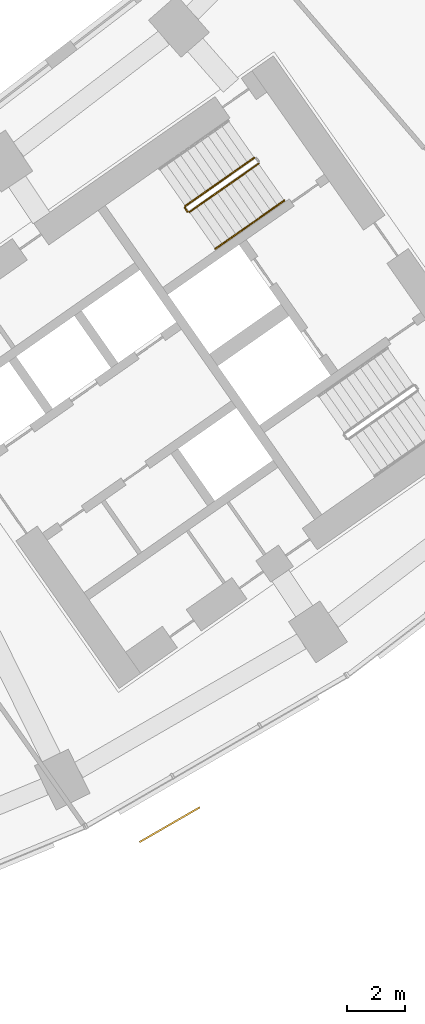
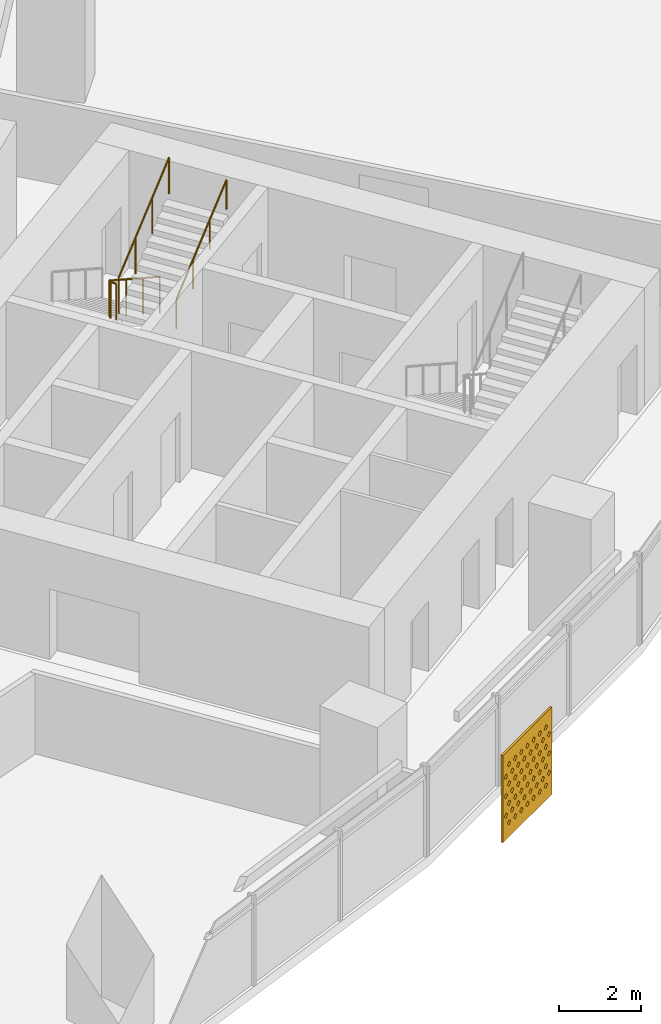
# One storey, part 29 of 31: 3 railings, 1 shading device.
"""IFC4 building model written with IfcOpenShell, lengths in metres."""

from ifc_helpers import new_model, si_unit, direction, frame, origin, origin_2d, place, context, subcontext, project, spatial, polyline, circle, outline, extrude, material, material_profile, profile_set, type_object, element, save


model = new_model("IFC4")

# Units and contexts
model_context = context("Model", 3, precision=1e-05, world=origin(), true_north=direction((0.0, 1.0)))
body_context = subcontext(model_context, "Body", "Model", "MODEL_VIEW")
ifc_project = project(units=[si_unit("LENGTHUNIT", "METRE"), si_unit("AREAUNIT", "SQUARE_METRE"), si_unit("VOLUMEUNIT", "CUBIC_METRE"), si_unit("PLANEANGLEUNIT", "RADIAN"), si_unit("MASSUNIT", "GRAM", prefix="KILO")], contexts=[model_context])

# Site, building, storey
site_placement = place(None, origin())
site = spatial("IfcSite", under=ifc_project, at=site_placement, CompositionType="ELEMENT")
building_placement = place(site_placement, origin())
building = spatial("IfcBuilding", under=site, at=building_placement, Name="Qamariyya Broadcast Tower", CompositionType="ELEMENT")
storey_placement = place(building_placement, frame((0.0, 0.0, 51.89990234375)))
storey = spatial("IfcBuildingStorey", under=building, at=storey_placement, Name="L09", CompositionType="ELEMENT", Elevation=51.89990234375)

# Shading device
ifc_material_1 = material(Name="Perforated glazed terracotta", Category="masonry")
ifc_material_profile = material_profile(ifc_material_1, outline(polyline([(-1.199951171875, -1.300048828125), (1.199951171875, -1.300048828125), (1.199951171875, 1.300048828125), (-1.199951171875, 1.300048828125), (-1.199951171875, -1.300048828125)]), holes=[polyline([(-0.81494140625, -0.86669921875), (-0.89990234375, -0.78173828125), (-0.985107421875, -0.86669921875), (-0.89990234375, -0.95166015625), (-0.81494140625, -0.86669921875)]), polyline([(-0.514892578125, -0.86669921875), (-0.60009765625, -0.78173828125), (-0.68505859375, -0.86669921875), (-0.60009765625, -0.95166015625), (-0.514892578125, -0.86669921875)]), polyline([(-0.215087890625, -0.86669921875), (-0.300048828125, -0.78173828125), (-0.385009765625, -0.86669921875), (-0.300048828125, -0.95166015625), (-0.215087890625, -0.86669921875)]), polyline([(0.0849609375, -0.86669921875), (0.0, -0.78173828125), (-0.0849609375, -0.86669921875), (0.0, -0.95166015625), (0.0849609375, -0.86669921875)]), polyline([(0.385009765625, -0.86669921875), (0.300048828125, -0.78173828125), (0.215087890625, -0.86669921875), (0.300048828125, -0.95166015625), (0.385009765625, -0.86669921875)]), polyline([(0.68505859375, -0.86669921875), (0.60009765625, -0.78173828125), (0.514892578125, -0.86669921875), (0.60009765625, -0.95166015625), (0.68505859375, -0.86669921875)]), polyline([(0.985107421875, -0.86669921875), (0.89990234375, -0.78173828125), (0.81494140625, -0.86669921875), (0.89990234375, -0.95166015625), (0.985107421875, -0.86669921875)]), polyline([(-0.965087890625, -0.577880859375), (-1.050048828125, -0.49267578125), (-1.135009765625, -0.577880859375), (-1.050048828125, -0.662841796875), (-0.965087890625, -0.577880859375)]), polyline([(-0.6650390625, -0.577880859375), (-0.75, -0.49267578125), (-0.8349609375, -0.577880859375), (-0.75, -0.662841796875), (-0.6650390625, -0.577880859375)]), polyline([(-0.364990234375, -0.577880859375), (-0.449951171875, -0.49267578125), (-0.534912109375, -0.577880859375), (-0.449951171875, -0.662841796875), (-0.364990234375, -0.577880859375)]), polyline([(-0.06494140625, -0.577880859375), (-0.14990234375, -0.49267578125), (-0.235107421875, -0.577880859375), (-0.14990234375, -0.662841796875), (-0.06494140625, -0.577880859375)]), polyline([(0.235107421875, -0.577880859375), (0.14990234375, -0.49267578125), (0.06494140625, -0.577880859375), (0.14990234375, -0.662841796875), (0.235107421875, -0.577880859375)]), polyline([(0.534912109375, -0.577880859375), (0.449951171875, -0.49267578125), (0.364990234375, -0.577880859375), (0.449951171875, -0.662841796875), (0.534912109375, -0.577880859375)]), polyline([(0.8349609375, -0.577880859375), (0.75, -0.49267578125), (0.6650390625, -0.577880859375), (0.75, -0.662841796875), (0.8349609375, -0.577880859375)]), polyline([(1.135009765625, -0.577880859375), (1.050048828125, -0.49267578125), (0.965087890625, -0.577880859375), (1.050048828125, -0.662841796875), (1.135009765625, -0.577880859375)]), polyline([(-0.81494140625, -0.288818359375), (-0.89990234375, -0.203857421875), (-0.985107421875, -0.288818359375), (-0.89990234375, -0.373779296875), (-0.81494140625, -0.288818359375)]), polyline([(-0.514892578125, -0.288818359375), (-0.60009765625, -0.203857421875), (-0.68505859375, -0.288818359375), (-0.60009765625, -0.373779296875), (-0.514892578125, -0.288818359375)]), polyline([(-0.215087890625, -0.288818359375), (-0.300048828125, -0.203857421875), (-0.385009765625, -0.288818359375), (-0.300048828125, -0.373779296875), (-0.215087890625, -0.288818359375)]), polyline([(0.0849609375, -0.288818359375), (0.0, -0.203857421875), (-0.0849609375, -0.288818359375), (0.0, -0.373779296875), (0.0849609375, -0.288818359375)]), polyline([(0.385009765625, -0.288818359375), (0.300048828125, -0.203857421875), (0.215087890625, -0.288818359375), (0.300048828125, -0.373779296875), (0.385009765625, -0.288818359375)]), polyline([(0.68505859375, -0.288818359375), (0.60009765625, -0.203857421875), (0.514892578125, -0.288818359375), (0.60009765625, -0.373779296875), (0.68505859375, -0.288818359375)]), polyline([(0.985107421875, -0.288818359375), (0.89990234375, -0.203857421875), (0.81494140625, -0.288818359375), (0.89990234375, -0.373779296875), (0.985107421875, -0.288818359375)]), polyline([(-0.965087890625, 0.0), (-1.050048828125, 0.0849609375), (-1.135009765625, 0.0), (-1.050048828125, -0.0849609375), (-0.965087890625, 0.0)]), polyline([(-0.6650390625, 0.0), (-0.75, 0.0849609375), (-0.8349609375, 0.0), (-0.75, -0.0849609375), (-0.6650390625, 0.0)]), polyline([(-0.364990234375, 0.0), (-0.449951171875, 0.0849609375), (-0.534912109375, 0.0), (-0.449951171875, -0.0849609375), (-0.364990234375, 0.0)]), polyline([(-0.06494140625, 0.0), (-0.14990234375, 0.0849609375), (-0.235107421875, 0.0), (-0.14990234375, -0.0849609375), (-0.06494140625, 0.0)]), polyline([(0.235107421875, 0.0), (0.14990234375, 0.0849609375), (0.06494140625, 0.0), (0.14990234375, -0.0849609375), (0.235107421875, 0.0)]), polyline([(0.534912109375, 0.0), (0.449951171875, 0.0849609375), (0.364990234375, 0.0), (0.449951171875, -0.0849609375), (0.534912109375, 0.0)]), polyline([(0.8349609375, 0.0), (0.75, 0.0849609375), (0.6650390625, 0.0), (0.75, -0.0849609375), (0.8349609375, 0.0)]), polyline([(1.135009765625, 0.0), (1.050048828125, 0.0849609375), (0.965087890625, 0.0), (1.050048828125, -0.0849609375), (1.135009765625, 0.0)]), polyline([(-0.81494140625, 0.288818359375), (-0.89990234375, 0.373779296875), (-0.985107421875, 0.288818359375), (-0.89990234375, 0.203857421875), (-0.81494140625, 0.288818359375)]), polyline([(-0.514892578125, 0.288818359375), (-0.60009765625, 0.373779296875), (-0.68505859375, 0.288818359375), (-0.60009765625, 0.203857421875), (-0.514892578125, 0.288818359375)]), polyline([(-0.215087890625, 0.288818359375), (-0.300048828125, 0.373779296875), (-0.385009765625, 0.288818359375), (-0.300048828125, 0.203857421875), (-0.215087890625, 0.288818359375)]), polyline([(0.0849609375, 0.288818359375), (0.0, 0.373779296875), (-0.0849609375, 0.288818359375), (0.0, 0.203857421875), (0.0849609375, 0.288818359375)]), polyline([(0.385009765625, 0.288818359375), (0.300048828125, 0.373779296875), (0.215087890625, 0.288818359375), (0.300048828125, 0.203857421875), (0.385009765625, 0.288818359375)]), polyline([(0.68505859375, 0.288818359375), (0.60009765625, 0.373779296875), (0.514892578125, 0.288818359375), (0.60009765625, 0.203857421875), (0.68505859375, 0.288818359375)]), polyline([(0.985107421875, 0.288818359375), (0.89990234375, 0.373779296875), (0.81494140625, 0.288818359375), (0.89990234375, 0.203857421875), (0.985107421875, 0.288818359375)]), polyline([(-0.965087890625, 0.577880859375), (-1.050048828125, 0.662841796875), (-1.135009765625, 0.577880859375), (-1.050048828125, 0.49267578125), (-0.965087890625, 0.577880859375)]), polyline([(-0.6650390625, 0.577880859375), (-0.75, 0.662841796875), (-0.8349609375, 0.577880859375), (-0.75, 0.49267578125), (-0.6650390625, 0.577880859375)]), polyline([(-0.364990234375, 0.577880859375), (-0.449951171875, 0.662841796875), (-0.534912109375, 0.577880859375), (-0.449951171875, 0.49267578125), (-0.364990234375, 0.577880859375)]), polyline([(-0.06494140625, 0.577880859375), (-0.14990234375, 0.662841796875), (-0.235107421875, 0.577880859375), (-0.14990234375, 0.49267578125), (-0.06494140625, 0.577880859375)]), polyline([(0.235107421875, 0.577880859375), (0.14990234375, 0.662841796875), (0.06494140625, 0.577880859375), (0.14990234375, 0.49267578125), (0.235107421875, 0.577880859375)]), polyline([(0.534912109375, 0.577880859375), (0.449951171875, 0.662841796875), (0.364990234375, 0.577880859375), (0.449951171875, 0.49267578125), (0.534912109375, 0.577880859375)]), polyline([(0.8349609375, 0.577880859375), (0.75, 0.662841796875), (0.6650390625, 0.577880859375), (0.75, 0.49267578125), (0.8349609375, 0.577880859375)]), polyline([(1.135009765625, 0.577880859375), (1.050048828125, 0.662841796875), (0.965087890625, 0.577880859375), (1.050048828125, 0.49267578125), (1.135009765625, 0.577880859375)]), polyline([(-0.81494140625, 0.86669921875), (-0.89990234375, 0.95166015625), (-0.985107421875, 0.86669921875), (-0.89990234375, 0.78173828125), (-0.81494140625, 0.86669921875)]), polyline([(-0.514892578125, 0.86669921875), (-0.60009765625, 0.95166015625), (-0.68505859375, 0.86669921875), (-0.60009765625, 0.78173828125), (-0.514892578125, 0.86669921875)]), polyline([(-0.215087890625, 0.86669921875), (-0.300048828125, 0.95166015625), (-0.385009765625, 0.86669921875), (-0.300048828125, 0.78173828125), (-0.215087890625, 0.86669921875)]), polyline([(0.0849609375, 0.86669921875), (0.0, 0.95166015625), (-0.0849609375, 0.86669921875), (0.0, 0.78173828125), (0.0849609375, 0.86669921875)]), polyline([(0.385009765625, 0.86669921875), (0.300048828125, 0.95166015625), (0.215087890625, 0.86669921875), (0.300048828125, 0.78173828125), (0.385009765625, 0.86669921875)]), polyline([(0.68505859375, 0.86669921875), (0.60009765625, 0.95166015625), (0.514892578125, 0.86669921875), (0.60009765625, 0.78173828125), (0.68505859375, 0.86669921875)]), polyline([(0.985107421875, 0.86669921875), (0.89990234375, 0.95166015625), (0.81494140625, 0.86669921875), (0.89990234375, 0.78173828125), (0.985107421875, 0.86669921875)])]))
ifc_profile_set = profile_set([ifc_material_profile], Name="Perforated glazed terracotta")
shading_device_type = type_object("IfcShadingDeviceType", Name="Perforated terracotta screen 2400 x 2600", PredefinedType="USERDEFINED", material=ifc_profile_set)
shading_device_placement = place(storey_placement, frame((38.07373046875, -71.259521484375, 1.35009765625), z_axis=(0.500074377092, -0.865982457891, 0.0), x_axis=(0.865982457891, 0.500074377092, 0.0)))
element("IfcShadingDevice", 1, at=shading_device_placement, inside=storey, type_object=shading_device_type, Name="e-scr-L09-12-0", ObjectType="SCREEN", PredefinedType="USERDEFINED", context=body_context, shape_type="SweptSolid", body=[
    extrude(outline(polyline([(-1.199951171875, -1.300048828125), (1.199951171875, -1.300048828125), (1.199951171875, 1.300048828125), (-1.199951171875, 1.300048828125), (-1.199951171875, -1.300048828125)]), holes=[polyline([(-0.81494140625, -0.86669921875), (-0.89990234375, -0.78173828125), (-0.985107421875, -0.86669921875), (-0.89990234375, -0.95166015625), (-0.81494140625, -0.86669921875)]), polyline([(-0.514892578125, -0.86669921875), (-0.60009765625, -0.78173828125), (-0.68505859375, -0.86669921875), (-0.60009765625, -0.95166015625), (-0.514892578125, -0.86669921875)]), polyline([(-0.215087890625, -0.86669921875), (-0.300048828125, -0.78173828125), (-0.385009765625, -0.86669921875), (-0.300048828125, -0.95166015625), (-0.215087890625, -0.86669921875)]), polyline([(0.0849609375, -0.86669921875), (0.0, -0.78173828125), (-0.0849609375, -0.86669921875), (0.0, -0.95166015625), (0.0849609375, -0.86669921875)]), polyline([(0.385009765625, -0.86669921875), (0.300048828125, -0.78173828125), (0.215087890625, -0.86669921875), (0.300048828125, -0.95166015625), (0.385009765625, -0.86669921875)]), polyline([(0.68505859375, -0.86669921875), (0.60009765625, -0.78173828125), (0.514892578125, -0.86669921875), (0.60009765625, -0.95166015625), (0.68505859375, -0.86669921875)]), polyline([(0.985107421875, -0.86669921875), (0.89990234375, -0.78173828125), (0.81494140625, -0.86669921875), (0.89990234375, -0.95166015625), (0.985107421875, -0.86669921875)]), polyline([(-0.965087890625, -0.577880859375), (-1.050048828125, -0.49267578125), (-1.135009765625, -0.577880859375), (-1.050048828125, -0.662841796875), (-0.965087890625, -0.577880859375)]), polyline([(-0.6650390625, -0.577880859375), (-0.75, -0.49267578125), (-0.8349609375, -0.577880859375), (-0.75, -0.662841796875), (-0.6650390625, -0.577880859375)]), polyline([(-0.364990234375, -0.577880859375), (-0.449951171875, -0.49267578125), (-0.534912109375, -0.577880859375), (-0.449951171875, -0.662841796875), (-0.364990234375, -0.577880859375)]), polyline([(-0.06494140625, -0.577880859375), (-0.14990234375, -0.49267578125), (-0.235107421875, -0.577880859375), (-0.14990234375, -0.662841796875), (-0.06494140625, -0.577880859375)]), polyline([(0.235107421875, -0.577880859375), (0.14990234375, -0.49267578125), (0.06494140625, -0.577880859375), (0.14990234375, -0.662841796875), (0.235107421875, -0.577880859375)]), polyline([(0.534912109375, -0.577880859375), (0.449951171875, -0.49267578125), (0.364990234375, -0.577880859375), (0.449951171875, -0.662841796875), (0.534912109375, -0.577880859375)]), polyline([(0.8349609375, -0.577880859375), (0.75, -0.49267578125), (0.6650390625, -0.577880859375), (0.75, -0.662841796875), (0.8349609375, -0.577880859375)]), polyline([(1.135009765625, -0.577880859375), (1.050048828125, -0.49267578125), (0.965087890625, -0.577880859375), (1.050048828125, -0.662841796875), (1.135009765625, -0.577880859375)]), polyline([(-0.81494140625, -0.288818359375), (-0.89990234375, -0.203857421875), (-0.985107421875, -0.288818359375), (-0.89990234375, -0.373779296875), (-0.81494140625, -0.288818359375)]), polyline([(-0.514892578125, -0.288818359375), (-0.60009765625, -0.203857421875), (-0.68505859375, -0.288818359375), (-0.60009765625, -0.373779296875), (-0.514892578125, -0.288818359375)]), polyline([(-0.215087890625, -0.288818359375), (-0.300048828125, -0.203857421875), (-0.385009765625, -0.288818359375), (-0.300048828125, -0.373779296875), (-0.215087890625, -0.288818359375)]), polyline([(0.0849609375, -0.288818359375), (0.0, -0.203857421875), (-0.0849609375, -0.288818359375), (0.0, -0.373779296875), (0.0849609375, -0.288818359375)]), polyline([(0.385009765625, -0.288818359375), (0.300048828125, -0.203857421875), (0.215087890625, -0.288818359375), (0.300048828125, -0.373779296875), (0.385009765625, -0.288818359375)]), polyline([(0.68505859375, -0.288818359375), (0.60009765625, -0.203857421875), (0.514892578125, -0.288818359375), (0.60009765625, -0.373779296875), (0.68505859375, -0.288818359375)]), polyline([(0.985107421875, -0.288818359375), (0.89990234375, -0.203857421875), (0.81494140625, -0.288818359375), (0.89990234375, -0.373779296875), (0.985107421875, -0.288818359375)]), polyline([(-0.965087890625, 0.0), (-1.050048828125, 0.0849609375), (-1.135009765625, 0.0), (-1.050048828125, -0.0849609375), (-0.965087890625, 0.0)]), polyline([(-0.6650390625, 0.0), (-0.75, 0.0849609375), (-0.8349609375, 0.0), (-0.75, -0.0849609375), (-0.6650390625, 0.0)]), polyline([(-0.364990234375, 0.0), (-0.449951171875, 0.0849609375), (-0.534912109375, 0.0), (-0.449951171875, -0.0849609375), (-0.364990234375, 0.0)]), polyline([(-0.06494140625, 0.0), (-0.14990234375, 0.0849609375), (-0.235107421875, 0.0), (-0.14990234375, -0.0849609375), (-0.06494140625, 0.0)]), polyline([(0.235107421875, 0.0), (0.14990234375, 0.0849609375), (0.06494140625, 0.0), (0.14990234375, -0.0849609375), (0.235107421875, 0.0)]), polyline([(0.534912109375, 0.0), (0.449951171875, 0.0849609375), (0.364990234375, 0.0), (0.449951171875, -0.0849609375), (0.534912109375, 0.0)]), polyline([(0.8349609375, 0.0), (0.75, 0.0849609375), (0.6650390625, 0.0), (0.75, -0.0849609375), (0.8349609375, 0.0)]), polyline([(1.135009765625, 0.0), (1.050048828125, 0.0849609375), (0.965087890625, 0.0), (1.050048828125, -0.0849609375), (1.135009765625, 0.0)]), polyline([(-0.81494140625, 0.288818359375), (-0.89990234375, 0.373779296875), (-0.985107421875, 0.288818359375), (-0.89990234375, 0.203857421875), (-0.81494140625, 0.288818359375)]), polyline([(-0.514892578125, 0.288818359375), (-0.60009765625, 0.373779296875), (-0.68505859375, 0.288818359375), (-0.60009765625, 0.203857421875), (-0.514892578125, 0.288818359375)]), polyline([(-0.215087890625, 0.288818359375), (-0.300048828125, 0.373779296875), (-0.385009765625, 0.288818359375), (-0.300048828125, 0.203857421875), (-0.215087890625, 0.288818359375)]), polyline([(0.0849609375, 0.288818359375), (0.0, 0.373779296875), (-0.0849609375, 0.288818359375), (0.0, 0.203857421875), (0.0849609375, 0.288818359375)]), polyline([(0.385009765625, 0.288818359375), (0.300048828125, 0.373779296875), (0.215087890625, 0.288818359375), (0.300048828125, 0.203857421875), (0.385009765625, 0.288818359375)]), polyline([(0.68505859375, 0.288818359375), (0.60009765625, 0.373779296875), (0.514892578125, 0.288818359375), (0.60009765625, 0.203857421875), (0.68505859375, 0.288818359375)]), polyline([(0.985107421875, 0.288818359375), (0.89990234375, 0.373779296875), (0.81494140625, 0.288818359375), (0.89990234375, 0.203857421875), (0.985107421875, 0.288818359375)]), polyline([(-0.965087890625, 0.577880859375), (-1.050048828125, 0.662841796875), (-1.135009765625, 0.577880859375), (-1.050048828125, 0.49267578125), (-0.965087890625, 0.577880859375)]), polyline([(-0.6650390625, 0.577880859375), (-0.75, 0.662841796875), (-0.8349609375, 0.577880859375), (-0.75, 0.49267578125), (-0.6650390625, 0.577880859375)]), polyline([(-0.364990234375, 0.577880859375), (-0.449951171875, 0.662841796875), (-0.534912109375, 0.577880859375), (-0.449951171875, 0.49267578125), (-0.364990234375, 0.577880859375)]), polyline([(-0.06494140625, 0.577880859375), (-0.14990234375, 0.662841796875), (-0.235107421875, 0.577880859375), (-0.14990234375, 0.49267578125), (-0.06494140625, 0.577880859375)]), polyline([(0.235107421875, 0.577880859375), (0.14990234375, 0.662841796875), (0.06494140625, 0.577880859375), (0.14990234375, 0.49267578125), (0.235107421875, 0.577880859375)]), polyline([(0.534912109375, 0.577880859375), (0.449951171875, 0.662841796875), (0.364990234375, 0.577880859375), (0.449951171875, 0.49267578125), (0.534912109375, 0.577880859375)]), polyline([(0.8349609375, 0.577880859375), (0.75, 0.662841796875), (0.6650390625, 0.577880859375), (0.75, 0.49267578125), (0.8349609375, 0.577880859375)]), polyline([(1.135009765625, 0.577880859375), (1.050048828125, 0.662841796875), (0.965087890625, 0.577880859375), (1.050048828125, 0.49267578125), (1.135009765625, 0.577880859375)]), polyline([(-0.81494140625, 0.86669921875), (-0.89990234375, 0.95166015625), (-0.985107421875, 0.86669921875), (-0.89990234375, 0.78173828125), (-0.81494140625, 0.86669921875)]), polyline([(-0.514892578125, 0.86669921875), (-0.60009765625, 0.95166015625), (-0.68505859375, 0.86669921875), (-0.60009765625, 0.78173828125), (-0.514892578125, 0.86669921875)]), polyline([(-0.215087890625, 0.86669921875), (-0.300048828125, 0.95166015625), (-0.385009765625, 0.86669921875), (-0.300048828125, 0.78173828125), (-0.215087890625, 0.86669921875)]), polyline([(0.0849609375, 0.86669921875), (0.0, 0.95166015625), (-0.0849609375, 0.86669921875), (0.0, 0.78173828125), (0.0849609375, 0.86669921875)]), polyline([(0.385009765625, 0.86669921875), (0.300048828125, 0.95166015625), (0.215087890625, 0.86669921875), (0.300048828125, 0.78173828125), (0.385009765625, 0.86669921875)]), polyline([(0.68505859375, 0.86669921875), (0.60009765625, 0.95166015625), (0.514892578125, 0.86669921875), (0.60009765625, 0.78173828125), (0.68505859375, 0.86669921875)]), polyline([(0.985107421875, 0.86669921875), (0.89990234375, 0.95166015625), (0.81494140625, 0.86669921875), (0.89990234375, 0.78173828125), (0.985107421875, 0.86669921875)])]), origin(), (0.0, 0.0, 1.0), 0.06005859375),
])

# Railings
ifc_material_2 = material(Name="Painted steel", Category="steel")
railing_type_1 = type_object("IfcRailingType", Name="Stair guard", PredefinedType="GUARDRAIL", material=ifc_material_2)
railing_1_placement = place(storey_placement, frame((41.003173828125, -48.320068359375, 0.1728515625)))
element("IfcRailing", 2, at=railing_1_placement, inside=storey, type_object=railing_type_1, Name="L09 ST-E2 stair guard 1", PredefinedType="GUARDRAIL", context=body_context, shape_type="SweptSolid", body=[
    extrude(circle(Radius=0.02392578125, at=origin_2d()), frame((0.0, 0.0, 1.076171875), z_axis=(-0.703770094002, -0.492783725636, 0.511734163933), x_axis=(0.573575343427, -0.819152809562, 0.0)), (0.0, 0.0, 1.0), 3.37548828125),
    extrude(circle(Radius=0.02392578125, at=origin_2d()), frame((-2.37548828125, -1.663330078125, 2.80322265625), z_axis=(-0.172799478008, -0.984957024646, 0.0), x_axis=(0.984957024646, -0.172799478008, 0.0)), (0.0, 0.0, 1.0), 0.070556640625),
    extrude(circle(Radius=0.02392578125, at=origin_2d()), frame((-2.3876953125, -1.73291015625, 2.80322265625), z_axis=(0.572588637393, -0.819842821722, 0.0), x_axis=(0.819842821722, 0.572588637393, 0.0)), (0.0, 0.0, 1.0), 0.150146484375),
    extrude(circle(Radius=0.02099609375, at=origin_2d()), origin(), (0.0, 0.0, 1.0), 1.052001953125),
    extrude(circle(Radius=0.02099609375, at=origin_2d()), frame((-0.791748046875, -0.554443359375, 0.57568359375)), (0.0, 0.0, 1.0), 1.052001953125),
    extrude(circle(Radius=0.02099609375, at=origin_2d()), frame((-1.583740234375, -1.10888671875, 1.151611328125)), (0.0, 0.0, 1.0), 1.052001953125),
    extrude(circle(Radius=0.02099609375, at=origin_2d()), frame((-2.37548828125, -1.663330078125, 1.727294921875)), (0.0, 0.0, 1.0), 1.052001953125),
    extrude(circle(Radius=0.02099609375, at=origin_2d()), frame((-2.3876953125, -1.73291015625, 1.727294921875)), (0.0, 0.0, 1.0), 1.052001953125),
    extrude(circle(Radius=0.02099609375, at=origin_2d()), frame((-2.3017578125, -1.85595703125, 1.727294921875)), (0.0, 0.0, 1.0), 1.052001953125),
])
railing_2_placement = place(storey_placement, frame((38.771240234375, -50.188232421875, 2.07275390625)))
element("IfcRailing", 3, at=railing_2_placement, inside=storey, type_object=railing_type_1, Name="L09 ST-E2 stair guard 2", PredefinedType="GUARDRAIL", context=body_context, shape_type="SweptSolid", body=[
    extrude(circle(Radius=0.02392578125, at=origin_2d()), frame((0.0, 0.0, 1.076171875), z_axis=(0.703770094002, 0.492783725636, 0.511734163933), x_axis=(-0.573575343427, 0.819152809562, 0.0)), (0.0, 0.0, 1.0), 3.37548828125),
    extrude(circle(Radius=0.02099609375, at=origin_2d()), origin(), (0.0, 0.0, 1.0), 1.052001953125),
    extrude(circle(Radius=0.02099609375, at=origin_2d()), frame((0.791748046875, 0.554443359375, 0.57568359375)), (0.0, 0.0, 1.0), 1.052001953125),
    extrude(circle(Radius=0.02099609375, at=origin_2d()), frame((1.583740234375, 1.10888671875, 1.151611328125)), (0.0, 0.0, 1.0), 1.052001953125),
    extrude(circle(Radius=0.02099609375, at=origin_2d()), frame((2.37548828125, 1.663330078125, 1.727294921875)), (0.0, 0.0, 1.0), 1.052001953125),
])
ifc_material_3 = material(Name="Stainless steel", Category="steel")
railing_type_2 = type_object("IfcRailingType", Name="Stair handrail", PredefinedType="HANDRAIL", material=ifc_material_3)
railing_3_placement = place(storey_placement, frame((39.66015625, -51.4580078125, 2.07275390625)))
element("IfcRailing", 4, at=railing_3_placement, inside=storey, type_object=railing_type_2, Name="L09 ST-E2 stair handrail 2", PredefinedType="HANDRAIL", context=body_context, shape_type="SweptSolid", body=[
    extrude(circle(Radius=0.02392578125, at=origin_2d()), frame((0.0, 0.0, 0.8759765625), z_axis=(0.703745009021, 0.492838488332, 0.511715923826), x_axis=(-0.573631830683, 0.819113253969, 0.0)), (0.0, 0.0, 1.0), 3.37548828125),
    extrude(circle(Radius=0.02099609375, at=origin_2d()), origin(), (0.0, 0.0, 1.0), 0.851806640625),
    extrude(circle(Radius=0.02099609375, at=origin_2d()), frame((0.791748046875, 0.554443359375, 0.57568359375)), (0.0, 0.0, 1.0), 0.851806640625),
    extrude(circle(Radius=0.02099609375, at=origin_2d()), frame((1.583740234375, 1.109130859375, 1.151611328125)), (0.0, 0.0, 1.0), 0.851806640625),
    extrude(circle(Radius=0.02099609375, at=origin_2d()), frame((2.37548828125, 1.66357421875, 1.727294921875)), (0.0, 0.0, 1.0), 0.851806640625),
])

save(model, "model.ifc")
